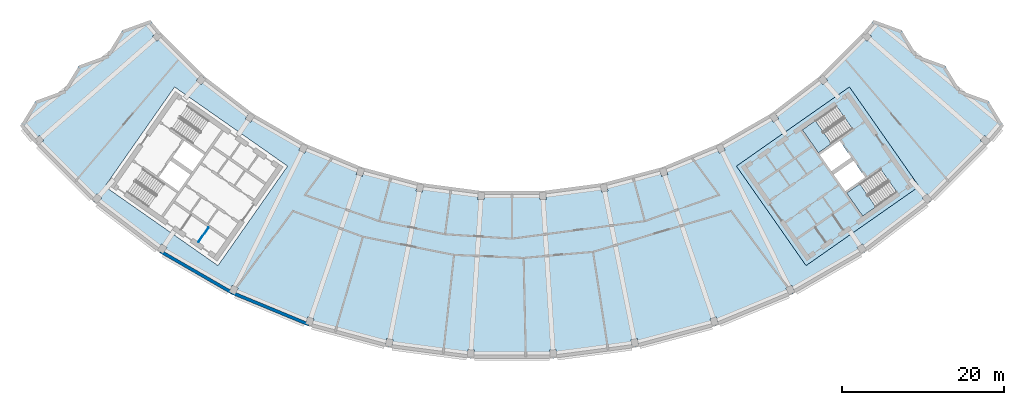
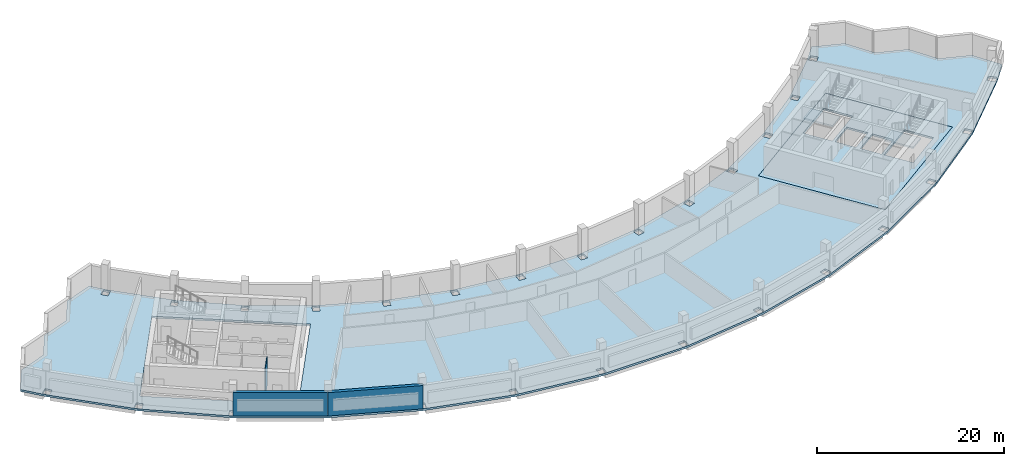
# One storey, part 2 of 11: 4 slabs, 3 walls, 2 elements without a shape of their own.
"""IFC4 building model written with IfcOpenShell, lengths in metres."""

from ifc_helpers import new_model, si_unit, direction, frame, frame_2d, origin, place, context, subcontext, project, spatial, polyline, rectangle, outline, extrude, material, layer, layer_set, type_object, element, aggregate, save


model = new_model("IFC4")

# Units and contexts
model_context = context("Model", 3, precision=1e-05, world=origin(), true_north=direction((0.0, 1.0)))
body_context = subcontext(model_context, "Body", "Model", "MODEL_VIEW")
ifc_project = project(units=[si_unit("LENGTHUNIT", "METRE"), si_unit("AREAUNIT", "SQUARE_METRE"), si_unit("VOLUMEUNIT", "CUBIC_METRE"), si_unit("PLANEANGLEUNIT", "RADIAN"), si_unit("MASSUNIT", "GRAM", prefix="KILO")], contexts=[model_context])

# Site, building, storey
site_placement = place(None, origin())
site = spatial("IfcSite", under=ifc_project, at=site_placement, CompositionType="ELEMENT")
building_placement = place(site_placement, origin())
building = spatial("IfcBuilding", under=site, at=building_placement, Name="Qamariyya Broadcast Tower", CompositionType="ELEMENT")
storey_placement = place(building_placement, frame((0.0, 0.0, 294.699951171875)))
storey = spatial("IfcBuildingStorey", under=building, at=storey_placement, Name="L71", CompositionType="ELEMENT", Elevation=294.699951171875)

# Slabs
ifc_material_1 = material(Name="Concrete C40/50", Category="concrete")
ifc_layer_1 = layer(ifc_material_1, 0.25)
ifc_layer_set_1 = layer_set([ifc_layer_1], Name="Core floor slab 250 mm Concrete C40/50")
slab_type_1 = type_object("IfcSlabType", Name="Core floor slab 250 mm Concrete C40/50", PredefinedType="FLOOR", material=ifc_layer_set_1)
slab_1_placement = place(storey_placement, frame((0.0, 0.0, -0.25)))
element("IfcSlab", 1, at=slab_1_placement, inside=storey, type_object=slab_type_1, Name="k-E-L71-slab", PredefinedType="FLOOR", context=body_context, shape_type="SweptSolid", body=[
    extrude(outline(polyline([(36.32373046875, -66.734375), (50.286376953125, -56.95751953125), (41.6826171875, -44.67041015625), (27.719970703125, -54.447021484375), (36.32373046875, -66.734375)]), holes=[polyline([(39.742431640625, -55.489990234375), (42.199951171875, -53.769287109375), (43.6337890625, -55.817138671875), (41.17626953125, -57.537841796875), (39.742431640625, -55.489990234375)]), polyline([(39.45556640625, -55.080322265625), (41.9130859375, -53.359619140625), (40.47900390625, -51.311767578125), (38.021728515625, -53.032470703125), (39.45556640625, -55.080322265625)]), polyline([(40.082275390625, -47.01171875), (35.870849609375, -49.960693359375), (37.849609375, -52.78662109375), (42.06103515625, -49.837890625), (40.082275390625, -47.01171875)]), polyline([(45.559814453125, -54.834716796875), (41.348388671875, -57.783447265625), (43.3271484375, -60.609619140625), (47.538818359375, -57.66064453125), (45.559814453125, -54.834716796875)])]), origin(), (0.0, 0.0, 1.0), 0.25),
])
ifc_layer_2 = layer(ifc_material_1, 0.25)
ifc_layer_set_2 = layer_set([ifc_layer_2], Name="Post-tensioned floor slab 250 C40/50")
slab_type_2 = type_object("IfcSlabType", Name="Post-tensioned floor slab 250 C40/50", PredefinedType="FLOOR", material=ifc_layer_set_2)
slab_2_placement = place(storey_placement, frame((0.0, 0.0, -0.25)))
element("IfcSlab", 2, at=slab_2_placement, inside=storey, type_object=slab_type_2, Name="Floor slab S5 L71", PredefinedType="FLOOR", context=body_context, shape_type="SweptSolid", body=[
    extrude(outline(polyline([(-58.822509765625, -46.367431640625), (-60.746826171875, -49.482666015625), (-58.90673828125, -51.65966796875), (-51.65966796875, -58.90673828125), (-43.52880859375, -65.145751953125), (-34.6533203125, -70.27001953125), (-25.184814453125, -74.19189453125), (-15.285400390625, -76.844482421875), (-5.124267578125, -78.18212890625), (5.124267578125, -78.18212890625), (15.285400390625, -76.844482421875), (25.184814453125, -74.19189453125), (34.6533203125, -70.27001953125), (43.52880859375, -65.145751953125), (51.65966796875, -58.90673828125), (58.90673828125, -51.65966796875), (60.746826171875, -49.482666015625), (58.822509765625, -46.367431640625), (55.397216796875, -45.125), (53.471923828125, -42.009033203125), (50.04736328125, -40.76708984375), (48.12109375, -37.650634765625), (44.697509765625, -36.409423828125), (43.343505859375, -38.01123046875), (38.01123046875, -43.343505859375), (32.028564453125, -47.934326171875), (25.498046875, -51.704833984375), (18.531005859375, -54.590576171875), (11.2470703125, -56.542236328125), (3.7705078125, -57.526611328125), (-3.7705078125, -57.526611328125), (-11.2470703125, -56.542236328125), (-18.531005859375, -54.590576171875), (-25.498046875, -51.704833984375), (-32.028564453125, -47.934326171875), (-38.01123046875, -43.343505859375), (-43.343505859375, -38.01123046875), (-44.697509765625, -36.409423828125), (-48.12109375, -37.650634765625), (-50.04736328125, -40.76708984375), (-53.471923828125, -42.009033203125), (-55.397216796875, -45.125), (-58.822509765625, -46.367431640625)]), holes=[polyline([(-4.71533203125, -78.058837890625), (-5.513671875, -78.00634765625), (-5.454833984375, -77.1083984375), (-4.656494140625, -77.16064453125), (-4.71533203125, -78.058837890625)]), polyline([(-15.6484375, -76.619384765625), (-15.472900390625, -75.736572265625), (-14.688232421875, -75.892822265625), (-14.86376953125, -76.775390625), (-15.6484375, -76.619384765625)]), polyline([(-25.515380859375, -73.92138671875), (-25.22607421875, -73.069091796875), (-24.468505859375, -73.326171875), (-24.7578125, -74.178466796875), (-25.515380859375, -73.92138671875)]), polyline([(-34.94580078125, -69.95849609375), (-34.547607421875, -69.1513671875), (-33.830078125, -69.505126953125), (-34.228271484375, -70.312255859375), (-34.94580078125, -69.95849609375)]), polyline([(-43.778076171875, -64.798583984375), (-43.278076171875, -64.05029296875), (-42.613037109375, -64.494873046875), (-43.113037109375, -65.2431640625), (-43.778076171875, -64.798583984375)]), polyline([(-51.861572265625, -58.530029296875), (-51.26806640625, -57.853515625), (-50.666748046875, -58.380859375), (-51.260009765625, -59.0576171875), (-51.861572265625, -58.530029296875)]), polyline([(-4.23828125, -58.548095703125), (-4.179443359375, -57.650146484375), (-3.381103515625, -57.702392578125), (-3.43994140625, -58.6005859375), (-4.23828125, -58.548095703125)]), polyline([(-11.843994140625, -57.494140625), (-11.66845703125, -56.611328125), (-10.8837890625, -56.767333984375), (-11.0595703125, -57.650146484375), (-11.843994140625, -57.494140625)]), polyline([(-50.286376953125, -56.95751953125), (-41.6826171875, -44.67041015625), (-27.719970703125, -54.447021484375), (-36.32373046875, -66.734375), (-50.286376953125, -56.95751953125)]), polyline([(-19.247314453125, -55.456298828125), (-18.9580078125, -54.60400390625), (-18.200439453125, -54.861083984375), (-18.48974609375, -55.71337890625), (-19.247314453125, -55.456298828125)]), polyline([(-26.321044921875, -52.469482421875), (-25.923095703125, -51.662353515625), (-25.20556640625, -52.01611328125), (-25.603515625, -52.8232421875), (-26.321044921875, -52.469482421875)]), polyline([(-59.0576171875, -51.260009765625), (-58.380859375, -50.666748046875), (-57.853515625, -51.26806640625), (-58.530029296875, -51.861572265625), (-59.0576171875, -51.260009765625)]), polyline([(-32.944580078125, -48.5849609375), (-32.444580078125, -47.836669921875), (-31.779296875, -48.28125), (-32.279296875, -49.029541015625), (-32.944580078125, -48.5849609375)]), polyline([(-39.00439453125, -43.869140625), (-38.410888671875, -43.192626953125), (-37.8095703125, -43.719970703125), (-38.40283203125, -44.396728515625), (-39.00439453125, -43.869140625)]), polyline([(-44.396728515625, -38.40283203125), (-43.719970703125, -37.8095703125), (-43.192626953125, -38.410888671875), (-43.869140625, -39.00439453125), (-44.396728515625, -38.40283203125)]), polyline([(5.513671875, -78.00634765625), (4.71533203125, -78.058837890625), (4.656494140625, -77.16064453125), (5.454833984375, -77.1083984375), (5.513671875, -78.00634765625)]), polyline([(14.86376953125, -76.775390625), (14.688232421875, -75.892822265625), (15.472900390625, -75.736572265625), (15.6484375, -76.619384765625), (14.86376953125, -76.775390625)]), polyline([(24.7578125, -74.178466796875), (24.468505859375, -73.326171875), (25.22607421875, -73.069091796875), (25.515380859375, -73.92138671875), (24.7578125, -74.178466796875)]), polyline([(34.228271484375, -70.312255859375), (33.830078125, -69.505126953125), (34.547607421875, -69.1513671875), (34.94580078125, -69.95849609375), (34.228271484375, -70.312255859375)]), polyline([(43.113037109375, -65.2431640625), (42.613037109375, -64.494873046875), (43.278076171875, -64.05029296875), (43.778076171875, -64.798583984375), (43.113037109375, -65.2431640625)]), polyline([(51.260009765625, -59.0576171875), (50.666748046875, -58.380859375), (51.26806640625, -57.853515625), (51.861572265625, -58.530029296875), (51.260009765625, -59.0576171875)]), polyline([(3.43994140625, -58.6005859375), (3.381103515625, -57.702392578125), (4.179443359375, -57.650146484375), (4.23828125, -58.548095703125), (3.43994140625, -58.6005859375)]), polyline([(11.0595703125, -57.650146484375), (10.8837890625, -56.767333984375), (11.66845703125, -56.611328125), (11.843994140625, -57.494140625), (11.0595703125, -57.650146484375)]), polyline([(36.32373046875, -66.734375), (27.719970703125, -54.447021484375), (41.6826171875, -44.67041015625), (50.286376953125, -56.95751953125), (36.32373046875, -66.734375)]), polyline([(18.48974609375, -55.71337890625), (18.200439453125, -54.861083984375), (18.9580078125, -54.60400390625), (19.247314453125, -55.456298828125), (18.48974609375, -55.71337890625)]), polyline([(25.603515625, -52.8232421875), (25.20556640625, -52.01611328125), (25.923095703125, -51.662353515625), (26.321044921875, -52.469482421875), (25.603515625, -52.8232421875)]), polyline([(58.530029296875, -51.861572265625), (57.853515625, -51.26806640625), (58.380859375, -50.666748046875), (59.0576171875, -51.260009765625), (58.530029296875, -51.861572265625)]), polyline([(32.279296875, -49.029541015625), (31.779296875, -48.28125), (32.444580078125, -47.836669921875), (32.944580078125, -48.5849609375), (32.279296875, -49.029541015625)]), polyline([(38.40283203125, -44.396728515625), (37.8095703125, -43.719970703125), (38.410888671875, -43.192626953125), (39.00439453125, -43.869140625), (38.40283203125, -44.396728515625)]), polyline([(43.869140625, -39.00439453125), (43.192626953125, -38.410888671875), (43.719970703125, -37.8095703125), (44.396728515625, -38.40283203125), (43.869140625, -39.00439453125)])]), origin(), (0.0, 0.0, 1.0), 0.25),
])

# Stair, slab
ifc_material_2 = material(Name="Concrete C50/60", Category="concrete")
stair_type = type_object("IfcStairType", Name="Exit stair 24 risers of 167 mm", PredefinedType="HALF_TURN_STAIR", material=ifc_material_2)
stair_1_placement = place(storey_placement, origin())
stair_1 = element("IfcStair", 3, at=stair_1_placement, inside=storey, type_object=stair_type, Name="L71 Stair E2", PredefinedType="HALF_TURN_STAIR")
ifc_layer_3 = layer(ifc_material_2, 0.199951171875)
ifc_layer_set_3 = layer_set([ifc_layer_3], Name="Stair landing")
slab_type_3 = type_object("IfcSlabType", Name="Stair landing", PredefinedType="LANDING", material=ifc_layer_set_3)
slab_3_placement = place(storey_placement, frame((0.0, 0.0, 1.800048828125)))
slab_3 = element("IfcSlab", 4, at=slab_3_placement, type_object=slab_type_3, Name="ST-E2 landing 1", PredefinedType="LANDING", context=body_context, shape_type="SweptSolid", body=[
    extrude(outline(polyline([(37.475830078125, -48.8369140625), (35.870849609375, -49.960693359375), (37.849609375, -52.78662109375), (39.45458984375, -51.662841796875), (37.475830078125, -48.8369140625)])), origin(), (0.0, 0.0, 1.0), 0.199951171875),
])
aggregate(stair_1, [slab_3])

stair_2_placement = place(storey_placement, origin())
stair_2 = element("IfcStair", 5, at=stair_2_placement, inside=storey, type_object=stair_type, Name="L71 Stair E1", PredefinedType="HALF_TURN_STAIR")
slab_4_placement = place(storey_placement, frame((0.0, 0.0, 1.800048828125)))
slab_4 = element("IfcSlab", 6, at=slab_4_placement, type_object=slab_type_3, Name="ST-E1 landing 1", PredefinedType="LANDING", context=body_context, shape_type="SweptSolid", body=[
    extrude(outline(polyline([(42.953369140625, -56.65966796875), (41.348388671875, -57.783447265625), (43.3271484375, -60.609619140625), (44.93212890625, -59.48583984375), (42.953369140625, -56.65966796875)])), origin(), (0.0, 0.0, 1.0), 0.199951171875),
])
aggregate(stair_2, [slab_4])

# Walls
ifc_material_3 = material(Name="Fire-rated gypsum shaft liner on steel studs", Category="steel")
ifc_layer_4 = layer(ifc_material_3, 0.10009765625)
ifc_layer_set_4 = layer_set([ifc_layer_4], Name="Riser wall 100 mm")
wall_type_1 = type_object("IfcWallType", Name="Riser wall 100 mm", PredefinedType="PLUMBINGWALL", material=ifc_layer_set_4)
wall_1_placement = place(storey_placement, frame((-37.47802734375, -62.01953125, 0.0), z_axis=(0.0, 0.0, 1.0), x_axis=(-0.573581496053, -0.819148501424, 0.0)))
element("IfcWall", 7, at=wall_1_placement, inside=storey, type_object=wall_type_1, Name="k-W-L71-SP265", PredefinedType="PLUMBINGWALL", context=body_context, shape_type="SweptSolid", body=[
    extrude(rectangle(XDim=2.2001953125, YDim=0.10009765625, at=frame_2d((1.10009765625, 0.0))), origin(), (0.0, 0.0, 1.0), 3.75),
])
ifc_material_4 = material(Name="Terracotta", Category="masonry")
ifc_layer_5 = layer(ifc_material_4, 0.39990234375)
ifc_layer_set_5 = layer_set([ifc_layer_5], Name="Solid terracotta louvred band wall 400")
wall_type_2 = type_object("IfcWallType", Name="Solid terracotta louvred band wall 400", PredefinedType="SOLIDWALL", material=ifc_layer_set_5)
wall_2_placement = place(storey_placement, frame((-43.37353515625, -65.00439453125, 0.0), z_axis=(0.0, 0.0, 1.0), x_axis=(0.866019679839, -0.500009914033, 0.0)))
element("IfcWall", 8, at=wall_2_placement, inside=storey, type_object=wall_type_2, Name="e-wl-L71-out30", PredefinedType="SOLIDWALL", context=body_context, shape_type="SweptSolid", body=[
    extrude(rectangle(XDim=10.120849609375, YDim=0.39990234375, at=frame_2d((5.060546875, 0.0))), origin(), (0.0, 0.0, 1.0), 3.050048828125),
])
wall_3_placement = place(storey_placement, frame((-34.587646484375, -70.08056640625, 0.0), z_axis=(0.0, 0.0, 1.0), x_axis=(0.923877211741, -0.382689035152, 0.0)))
element("IfcWall", 9, at=wall_3_placement, inside=storey, type_object=wall_type_2, Name="e-wl-L71-out40", PredefinedType="SOLIDWALL", context=body_context, shape_type="SweptSolid", body=[
    extrude(rectangle(XDim=10.2724609375, YDim=0.39990234375, at=frame_2d((5.13623046875, 0.0))), origin(), (0.0, 0.0, 1.0), 3.050048828125),
])

save(model, "model.ifc")
